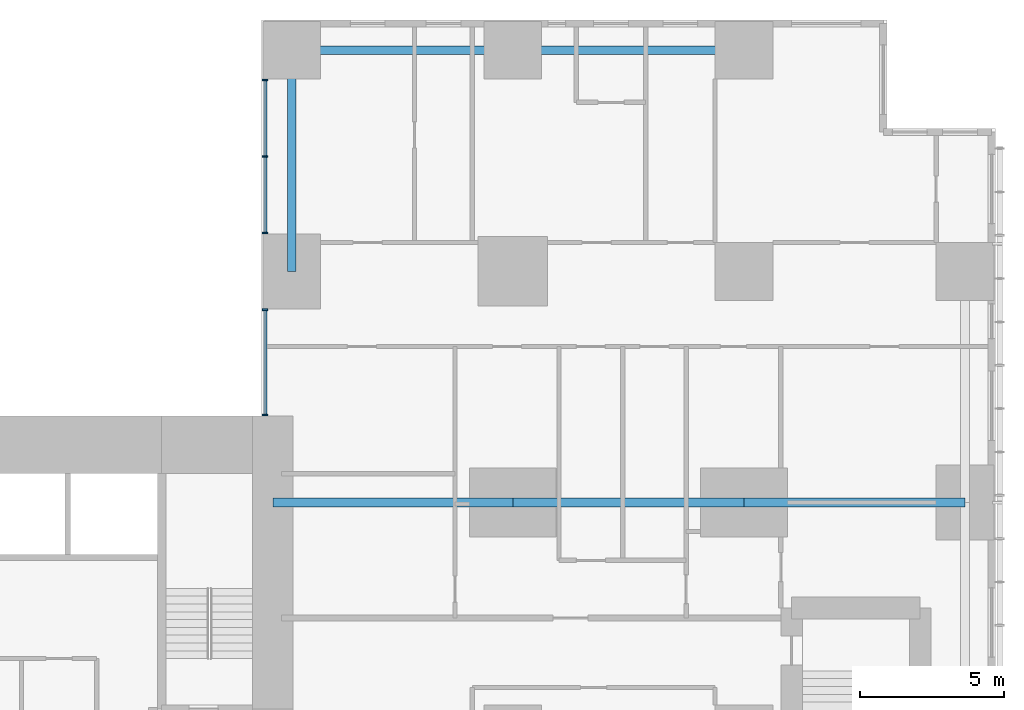
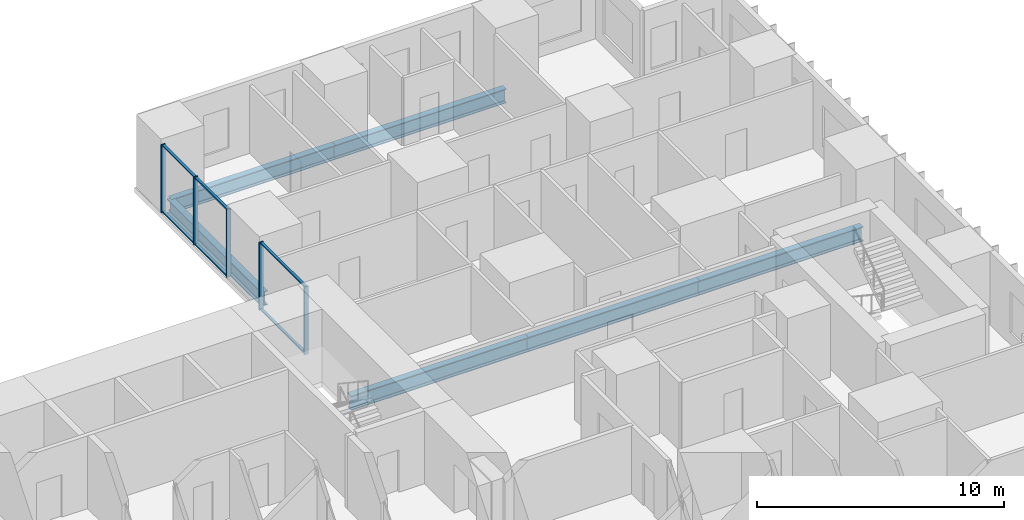
# One storey, part 5 of 20: 11 members, 6 beams, 2 elements without a shape of their own.
"""IFC4 building model written with IfcOpenShell, lengths in metres."""

import ifcopenshell
import ifcopenshell.guid

model = None  # the IFC model being written
_history = None  # IfcOwnerHistory: only IFC2X3 demands one
_inside = {}  # id of a spatial element -> (the spatial element, [elements in it])
_under = {}  # id of a project, library or spatial element -> (it, [spatial elements below it])
_declared = {}  # id of a project -> (the project, [libraries it declares])
_typed = {}  # id of a type object -> (the type object, [elements of that type])
_made_of = {}  # id of a material, layer set ... -> (it, [elements and type objects made of it])


def new_model(schema):
    """Start an empty IFC model of exactly this schema.

    Asked for "IFC4X3", IfcOpenShell would pick the latest addendum, in which some entities
    have other attributes; the version numbers below select the first issue.
    IFC2X3 requires an IfcOwnerHistory on every rooted entity: one is made here for all.
    """
    global model, _history
    if schema == "IFC4X3":
        model = ifcopenshell.file(schema_version=(4, 3, 0, 0))
    else:
        model = ifcopenshell.file(schema=schema)
    _inside.clear()
    _under.clear()
    _declared.clear()
    _typed.clear()
    _made_of.clear()
    _history = None
    if model.schema == "IFC2X3":
        org = make("IfcOrganization", Name="unknown")
        user = make(
            "IfcPersonAndOrganization",
            ThePerson=make("IfcPerson", FamilyName="unknown"),
            TheOrganization=org,
        )
        app = make(
            "IfcApplication",
            ApplicationDeveloper=org,
            Version="unknown",
            ApplicationFullName="unknown",
            ApplicationIdentifier="unknown",
        )
        _history = make(
            "IfcOwnerHistory",
            OwningUser=user,
            OwningApplication=app,
            ChangeAction="ADDED",
            CreationDate=0,
        )
    return model


def make(cls, **values):
    """One entity of the class cls with the attributes given. An attribute that is None is left unset."""
    return model.create_entity(
        cls, **{name: value for name, value in values.items() if value is not None}
    )


def rooted(cls, **values):
    """An entity with a GlobalId (a new one), such as an element, a storey or a relation."""
    return make(cls, GlobalId=ifcopenshell.guid.new(), OwnerHistory=_history, **values)


def si_unit(unit_type, name, prefix=None):
    """IfcSIUnit, for example si_unit("LENGTHUNIT", "METRE", prefix="MILLI")."""
    return make("IfcSIUnit", UnitType=unit_type, Prefix=prefix, Name=name)


def assignment(units):
    """IfcUnitAssignment: the units of a project."""
    return None if units is None else make("IfcUnitAssignment", Units=units)


def point(xyz):
    """IfcCartesianPoint."""
    return None if xyz is None else make("IfcCartesianPoint", Coordinates=xyz)


def direction(xyz):
    """IfcDirection."""
    return None if xyz is None else make("IfcDirection", DirectionRatios=xyz)


def frame(location, z_axis=None, x_axis=None):
    """IfcAxis2Placement3D, a coordinate frame: its origin and axes. An axis left out is left unset."""
    return make(
        "IfcAxis2Placement3D",
        Location=point(location),
        Axis=direction(z_axis),
        RefDirection=direction(x_axis),
    )


def frame_2d(location, x_axis=None):
    """IfcAxis2Placement2D, a coordinate frame in the plane: its origin and x axis."""
    return make(
        "IfcAxis2Placement2D", Location=point(location), RefDirection=direction(x_axis)
    )


def origin():
    """The frame at (0, 0, 0) with its axes left unset."""
    return frame((0.0, 0.0, 0.0))


def origin_2d():
    """The frame at (0, 0) in the plane with its x axis left unset."""
    return frame_2d((0.0, 0.0))


def place(relative_to, where):
    """IfcLocalPlacement: puts the frame where relative to a parent placement (None: the world)."""
    return make(
        "IfcLocalPlacement", PlacementRelTo=relative_to, RelativePlacement=where
    )


def context(
    kind, dimensions, precision=None, world=None, true_north=None, identifier=None
):
    """IfcGeometricRepresentationContext, for example the 3D "Model" context."""
    return make(
        "IfcGeometricRepresentationContext",
        ContextIdentifier=identifier,
        ContextType=kind,
        CoordinateSpaceDimension=dimensions,
        Precision=precision,
        WorldCoordinateSystem=world,
        TrueNorth=true_north,
    )


def subcontext(parent, identifier, kind, view, scale=None):
    """IfcGeometricRepresentationSubContext, for example "Body" below "Model"."""
    return make(
        "IfcGeometricRepresentationSubContext",
        ContextIdentifier=identifier,
        ContextType=kind,
        ParentContext=parent,
        TargetScale=scale,
        TargetView=view,
    )


def project(units=None, contexts=None):
    """IfcProject with its units and contexts."""
    return rooted(
        "IfcProject",
        Name="project",
        RepresentationContexts=contexts,
        UnitsInContext=assignment(units),
    )


def spatial(cls, under=None, at=None, **own):
    """A site, building, storey or space (cls), placed at a placement, below another one or the project."""
    s = rooted(cls, ObjectPlacement=at, **own)
    if under is not None:
        _under.setdefault(under.id(), (under, []))[1].append(s)
    return s


def profile(cls, at=None, kind="AREA", **sizes):
    """A parametric profile (cls). Its sizes go by their IFC names, for example OverallWidth=200.0."""
    return make(cls, ProfileType=kind, Position=at, **sizes)


def rectangle(**sizes):
    """IfcRectangleProfileDef."""
    return profile("IfcRectangleProfileDef", **sizes)


def i_section(**sizes):
    """IfcIShapeProfileDef."""
    return profile("IfcIShapeProfileDef", **sizes)


def extrude(swept, where, along, depth):
    """IfcExtrudedAreaSolid: the profile swept, set in the frame where, extruded along a direction by depth."""
    return make(
        "IfcExtrudedAreaSolid",
        SweptArea=swept,
        Position=where,
        ExtrudedDirection=direction(along),
        Depth=depth,
    )


def shape(context_of_items, identifier, shape_type, items):
    """IfcShapeRepresentation: the items that make up one representation, for example the "Body"."""
    return make(
        "IfcShapeRepresentation",
        ContextOfItems=context_of_items,
        RepresentationIdentifier=identifier,
        RepresentationType=shape_type,
        Items=items,
    )


def material(Name=None, Category=None):
    """IfcMaterial."""
    return make("IfcMaterial", Name=Name, Category=Category)


def layer(
    of_material, thickness, ventilated=None, Name=None, Category=None, Priority=None
):
    """IfcMaterialLayer: one layer of a wall or slab, of a material (None: an air gap)."""
    return make(
        "IfcMaterialLayer",
        Material=of_material,
        LayerThickness=thickness,
        IsVentilated=ventilated,
        Name=Name,
        Category=Category,
        Priority=Priority,
    )


def layer_set(layers, Name=None):
    """IfcMaterialLayerSet."""
    return make("IfcMaterialLayerSet", MaterialLayers=layers, LayerSetName=Name)


def material_profile(
    of_material, cross_section, Name=None, Category=None, Priority=None
):
    """IfcMaterialProfile: a cross section and its material."""
    return make(
        "IfcMaterialProfile",
        Name=Name,
        Material=of_material,
        Profile=cross_section,
        Priority=Priority,
        Category=Category,
    )


def profile_set(profiles, Name=None, composite=None):
    """IfcMaterialProfileSet."""
    return make(
        "IfcMaterialProfileSet",
        Name=Name,
        MaterialProfiles=profiles,
        CompositeProfile=composite,
    )


def made_of(thing, what):
    """Note that an element or type object is made of a material, layer set ...; save() writes the relation."""
    if what is not None:
        _made_of.setdefault(what.id(), (what, []))[1].append(thing)
    return thing


def type_object(cls, material=None, **own):
    """A type object (cls), such as IfcWallType, which elements share."""
    return made_of(rooted(cls, **own), material)


def element(
    cls,
    number,
    at=None,
    inside=None,
    cuts=None,
    type_object=None,
    material=None,
    context=None,
    identifier="Body",
    shape_type=None,
    held_by="IfcProductDefinitionShape",
    body=None,
    shapes=None,
    **own,
):
    """One element of the class cls, such as IfcWall. Its Tag is "e" and its number.

    at: its placement. inside: the storey or other place that contains it. cuts: it is an
    opening in that element (IfcRelVoidsElement). A single representation is given by context,
    identifier, shape_type and body (its items); several are given by shapes. held_by: the class
    of the entity that holds the representations. save() writes the other relations.
    """
    e = rooted(cls, Tag="e%d" % number, ObjectPlacement=at, **own)
    if body is not None:
        shapes = [shape(context, identifier, shape_type, body)]
    if shapes is not None:
        e.Representation = make(held_by, Representations=shapes)
    if inside is not None:
        _inside.setdefault(inside.id(), (inside, []))[1].append(e)
    if cuts is not None:
        rooted(
            "IfcRelVoidsElement", RelatingBuildingElement=cuts, RelatedOpeningElement=e
        )
    if type_object is not None:
        _typed.setdefault(type_object.id(), (type_object, []))[1].append(e)
    return made_of(e, material)


def aggregate(whole, parts):
    """IfcRelAggregates: a whole, such as a stair, and the parts it consists of."""
    return rooted("IfcRelAggregates", RelatingObject=whole, RelatedObjects=parts)


def save(model, path):
    """Write the relations noted so far, then the file.

    IfcRelAggregates (storeys below a building ...), IfcRelContainedInSpatialStructure (elements
    in a storey), IfcRelDefinesByType, IfcRelAssociatesMaterial and IfcRelDeclares: one each for
    every whole, place, type object, material and project.
    """
    for whole, parts in _under.values():
        aggregate(whole, parts)
    for where, things in _inside.values():
        rooted(
            "IfcRelContainedInSpatialStructure",
            RelatedElements=things,
            RelatingStructure=where,
        )
    for kind, things in _typed.values():
        rooted("IfcRelDefinesByType", RelatedObjects=things, RelatingType=kind)
    for what, things in _made_of.values():
        rooted("IfcRelAssociatesMaterial", RelatedObjects=things, RelatingMaterial=what)
    for by, libraries in _declared.values():
        rooted("IfcRelDeclares", RelatingContext=by, RelatedDefinitions=libraries)
    model.write(path)


model = new_model("IFC4")

# Units and contexts
model_context = context("Model", 3, precision=1e-05, world=origin(), true_north=direction((0.0, 1.0)))
body_context = subcontext(model_context, "Body", "Model", "MODEL_VIEW")
ifc_project = project(units=[si_unit("LENGTHUNIT", "METRE"), si_unit("AREAUNIT", "SQUARE_METRE"), si_unit("VOLUMEUNIT", "CUBIC_METRE"), si_unit("PLANEANGLEUNIT", "RADIAN"), si_unit("MASSUNIT", "GRAM", prefix="KILO")], contexts=[model_context])

# Site, building, storey
site_placement = place(None, origin())
site = spatial("IfcSite", under=ifc_project, at=site_placement, CompositionType="ELEMENT")
building_placement = place(site_placement, origin())
building = spatial("IfcBuilding", under=site, at=building_placement, Name="Cleftline Residences", CompositionType="ELEMENT")
storey_placement = place(building_placement, frame((0.0, 0.0, 80.0)))
storey = spatial("IfcBuildingStorey", under=building, at=storey_placement, Name="L20", CompositionType="ELEMENT", Elevation=80.0)

# Beams
ifc_material_1 = material(Name="Steel S355", Category="steel")
ifc_material_profile_1 = material_profile(ifc_material_1, i_section(OverallWidth=0.300048828125, OverallDepth=0.699951171875, WebThickness=0.01708984375, FlangeThickness=0.031982421875, FilletRadius=0.027099609375, at=origin_2d()))
ifc_profile_set_1 = profile_set([ifc_material_profile_1], Name="Steel S355")
beam_type_1 = type_object("IfcBeamType", Name="BEAM HEB 700", PredefinedType="BEAM", material=ifc_profile_set_1)
beam_1_placement = place(storey_placement, frame((58.0, 47.64990234375, -0.60009765625), z_axis=(-1.0, 0.0, 0.0), x_axis=(0.0, -1.0, 0.0)))
element("IfcBeam", 1, at=beam_1_placement, inside=storey, type_object=beam_type_1, Name="Edge beam", PredefinedType="BEAM", context=body_context, shape_type="SweptSolid", body=[
    extrude(i_section(OverallWidth=0.300048828125, OverallDepth=0.699951171875, WebThickness=0.01708984375, FlangeThickness=0.031982421875, FilletRadius=0.027099609375, at=origin_2d()), origin(), (0.0, 0.0, 1.0), 8.0),
])
for number, where, z_axis, x_axis, name in (
    (2, (50.0, 47.64990234375, -0.60009765625), (-1.0, 0.0, 0.0), (0.0, -1.0, 0.0), "Edge beam"),
    (3, (42.35009765625, 47.64990234375, -0.60009765625), (0.0, -1.0, 0.0), (1.0, 0.0, 0.0), "Edge beam"),
):
    element("IfcBeam", number, at=place(storey_placement, frame(where, z_axis=z_axis, x_axis=x_axis)), inside=storey, type_object=beam_type_1, Name=name, PredefinedType="BEAM", context=body_context, shape_type="SweptSolid", body=[
        extrude(i_section(OverallWidth=0.300048828125, OverallDepth=0.699951171875, WebThickness=0.01708984375, FlangeThickness=0.031982421875, FilletRadius=0.027099609375, at=origin_2d()), origin(), (0.0, 0.0, 1.0), 7.64990234375),
    ])
ifc_material_2 = material(Name="Steel S355", Category="steel")
ifc_material_profile_2 = material_profile(ifc_material_2, i_section(OverallWidth=0.303955078125, OverallDepth=0.716064453125, WebThickness=0.02099609375, FlangeThickness=0.0400390625, FilletRadius=0.027099609375, at=origin_2d()))
ifc_profile_set_2 = profile_set([ifc_material_profile_2], Name="Steel S355")
beam_type_2 = type_object("IfcBeamType", Name="BEAM HEM 700", PredefinedType="BEAM", material=ifc_profile_set_2)
beam_2_placement = place(storey_placement, frame((65.64990234375, 32.0, -0.60791015625), z_axis=(-1.0, 0.0, 0.0), x_axis=(0.0, -1.0, 0.0)))
element("IfcBeam", 4, at=beam_2_placement, inside=storey, type_object=beam_type_2, Name="Band beam", PredefinedType="BEAM", context=body_context, shape_type="SweptSolid", body=[
    extrude(i_section(OverallWidth=0.303955078125, OverallDepth=0.716064453125, WebThickness=0.02099609375, FlangeThickness=0.0400390625, FilletRadius=0.027099609375, at=origin_2d()), origin(), (0.0, 0.0, 1.0), 7.64990234375),
])
beam_3_placement = place(storey_placement, frame((58.0, 32.0, -0.60791015625), z_axis=(-1.0, 0.0, 0.0), x_axis=(0.0, -1.0, 0.0)))
element("IfcBeam", 5, at=beam_3_placement, inside=storey, type_object=beam_type_2, Name="Band beam", PredefinedType="BEAM", context=body_context, shape_type="SweptSolid", body=[
    extrude(i_section(OverallWidth=0.303955078125, OverallDepth=0.716064453125, WebThickness=0.02099609375, FlangeThickness=0.0400390625, FilletRadius=0.027099609375, at=origin_2d()), origin(), (0.0, 0.0, 1.0), 8.0),
])
beam_4_placement = place(storey_placement, frame((50.0, 32.0, -0.60791015625), z_axis=(-1.0, 0.0, 0.0), x_axis=(0.0, -1.0, 0.0)))
element("IfcBeam", 6, at=beam_4_placement, inside=storey, type_object=beam_type_2, Name="Band beam", PredefinedType="BEAM", context=body_context, shape_type="SweptSolid", body=[
    extrude(i_section(OverallWidth=0.303955078125, OverallDepth=0.716064453125, WebThickness=0.02099609375, FlangeThickness=0.0400390625, FilletRadius=0.027099609375, at=origin_2d()), origin(), (0.0, 0.0, 1.0), 8.300048828125),
])

# Curtain wall, members
ifc_material_3 = material(Name="Aluminium framed curtain wall", Category="aluminium")
ifc_layer = layer(ifc_material_3, 0.199951171875)
ifc_layer_set = layer_set([ifc_layer], Name="CW1 CLEFT GLAZING")
curtain_wall_type = type_object("IfcCurtainWallType", Name="CW1 CLEFT GLAZING", PredefinedType="NOTDEFINED", material=ifc_layer_set)
curtain_wall_1_placement = place(storey_placement, origin())
curtain_wall_1 = element("IfcCurtainWall", 7, at=curtain_wall_1_placement, inside=storey, type_object=curtain_wall_type, Name="Curtain wall CW1", PredefinedType="NOTDEFINED")
ifc_material_4 = material(Name="Aluminium mullion", Category="aluminium")
ifc_material_profile_3 = material_profile(ifc_material_4, rectangle(XDim=0.199951171875, YDim=0.06005859375, at=origin_2d()))
ifc_profile_set_3 = profile_set([ifc_material_profile_3], Name="Aluminium mullion")
member_type_1 = type_object("IfcMemberType", Name="CW1 MULLION", PredefinedType="MULLION", material=ifc_profile_set_3)
member_1_placement = place(storey_placement, frame((41.425048828125, 46.6201171875, 0.0), z_axis=(0.0, 0.0, 1.0), x_axis=(1.0, 0.0, 0.0)))
member_1 = element("IfcMember", 8, at=member_1_placement, type_object=member_type_1, Name="CW1 mullion 1", PredefinedType="MULLION", context=body_context, shape_type="SweptSolid", body=[
    extrude(rectangle(XDim=0.199951171875, YDim=0.06005859375, at=origin_2d()), origin(), (0.0, 0.0, 1.0), 3.35009765625),
])
member_2_placement = place(storey_placement, frame((41.425048828125, 43.97509765625, 0.0), z_axis=(0.0, 0.0, 1.0), x_axis=(1.0, 0.0, 0.0)))
member_2 = element("IfcMember", 9, at=member_2_placement, type_object=member_type_1, Name="CW1 mullion 2", PredefinedType="MULLION", context=body_context, shape_type="SweptSolid", body=[
    extrude(rectangle(XDim=0.199951171875, YDim=0.06005859375, at=origin_2d()), origin(), (0.0, 0.0, 1.0), 3.35009765625),
])
member_3_placement = place(storey_placement, frame((41.425048828125, 41.330078125, 0.0), z_axis=(0.0, 0.0, 1.0), x_axis=(1.0, 0.0, 0.0)))
member_3 = element("IfcMember", 10, at=member_3_placement, type_object=member_type_1, Name="CW1 mullion 3", PredefinedType="MULLION", context=body_context, shape_type="SweptSolid", body=[
    extrude(rectangle(XDim=0.199951171875, YDim=0.06005859375, at=origin_2d()), origin(), (0.0, 0.0, 1.0), 3.35009765625),
])

curtain_wall_2_placement = place(storey_placement, origin())
curtain_wall_2 = element("IfcCurtainWall", 11, at=curtain_wall_2_placement, inside=storey, type_object=curtain_wall_type, Name="Curtain wall CW1", PredefinedType="NOTDEFINED")
member_4_placement = place(storey_placement, frame((41.425048828125, 38.669921875, 0.0), z_axis=(0.0, 0.0, 1.0), x_axis=(1.0, 0.0, 0.0)))
member_4 = element("IfcMember", 12, at=member_4_placement, type_object=member_type_1, Name="CW1 mullion 1", PredefinedType="MULLION", context=body_context, shape_type="SweptSolid", body=[
    extrude(rectangle(XDim=0.199951171875, YDim=0.06005859375, at=origin_2d()), origin(), (0.0, 0.0, 1.0), 3.35009765625),
])
member_5_placement = place(storey_placement, frame((41.425048828125, 35.030029296875, 0.0), z_axis=(0.0, 0.0, 1.0), x_axis=(1.0, 0.0, 0.0)))
member_5 = element("IfcMember", 13, at=member_5_placement, type_object=member_type_1, Name="CW1 mullion 2", PredefinedType="MULLION", context=body_context, shape_type="SweptSolid", body=[
    extrude(rectangle(XDim=0.199951171875, YDim=0.06005859375, at=origin_2d()), origin(), (0.0, 0.0, 1.0), 3.35009765625),
])

# Member
ifc_material_5 = material(Name="Aluminium transom", Category="aluminium")
ifc_material_profile_4 = material_profile(ifc_material_5, rectangle(XDim=0.1201171875, YDim=0.06005859375, at=origin_2d()))
ifc_profile_set_4 = profile_set([ifc_material_profile_4], Name="Aluminium transom")
member_type_2 = type_object("IfcMemberType", Name="CW1 TRANSOM", PredefinedType="USERDEFINED", material=ifc_profile_set_4)
member_6_placement = place(storey_placement, frame((41.425048828125, 46.590087890625, 0.030029296875), z_axis=(0.0, -1.0, 0.0), x_axis=(1.0, 0.0, 0.0)))
member_6 = element("IfcMember", 14, at=member_6_placement, type_object=member_type_2, Name="CW1 transom 1.1", ObjectType="TRANSOM", PredefinedType="USERDEFINED", context=body_context, shape_type="SweptSolid", body=[
    extrude(rectangle(XDim=0.1201171875, YDim=0.06005859375, at=origin_2d()), origin(), (0.0, 0.0, 1.0), 2.585205078125),
])

member_7_placement = place(storey_placement, frame((41.425048828125, 46.590087890625, 3.320068359375), z_axis=(0.0, -1.0, 0.0), x_axis=(1.0, 0.0, 0.0)))
member_7 = element("IfcMember", 15, at=member_7_placement, type_object=member_type_2, Name="CW1 transom 1.2", ObjectType="TRANSOM", PredefinedType="USERDEFINED", context=body_context, shape_type="SweptSolid", body=[
    extrude(rectangle(XDim=0.1201171875, YDim=0.06005859375, at=origin_2d()), origin(), (0.0, 0.0, 1.0), 2.585205078125),
])

member_8_placement = place(storey_placement, frame((41.425048828125, 43.945068359375, 0.030029296875), z_axis=(0.0, -1.0, 0.0), x_axis=(1.0, 0.0, 0.0)))
member_8 = element("IfcMember", 16, at=member_8_placement, type_object=member_type_2, Name="CW1 transom 2.1", ObjectType="TRANSOM", PredefinedType="USERDEFINED", context=body_context, shape_type="SweptSolid", body=[
    extrude(rectangle(XDim=0.1201171875, YDim=0.06005859375, at=origin_2d()), origin(), (0.0, 0.0, 1.0), 2.5849609375),
])

member_9_placement = place(storey_placement, frame((41.425048828125, 43.945068359375, 3.320068359375), z_axis=(0.0, -1.0, 0.0), x_axis=(1.0, 0.0, 0.0)))
member_9 = element("IfcMember", 17, at=member_9_placement, type_object=member_type_2, Name="CW1 transom 2.2", ObjectType="TRANSOM", PredefinedType="USERDEFINED", context=body_context, shape_type="SweptSolid", body=[
    extrude(rectangle(XDim=0.1201171875, YDim=0.06005859375, at=origin_2d()), origin(), (0.0, 0.0, 1.0), 2.5849609375),
])

aggregate(curtain_wall_1, [member_1, member_2, member_3, member_6, member_7, member_8, member_9])

member_10_placement = place(storey_placement, frame((41.425048828125, 38.639892578125, 0.030029296875), z_axis=(0.0, -1.0, 0.0), x_axis=(1.0, 0.0, 0.0)))
member_10 = element("IfcMember", 18, at=member_10_placement, type_object=member_type_2, Name="CW1 transom 1.1", ObjectType="TRANSOM", PredefinedType="USERDEFINED", context=body_context, shape_type="SweptSolid", body=[
    extrude(rectangle(XDim=0.1201171875, YDim=0.06005859375, at=origin_2d()), origin(), (0.0, 0.0, 1.0), 3.579833984375),
])

member_11_placement = place(storey_placement, frame((41.425048828125, 38.639892578125, 3.320068359375), z_axis=(0.0, -1.0, 0.0), x_axis=(1.0, 0.0, 0.0)))
member_11 = element("IfcMember", 19, at=member_11_placement, type_object=member_type_2, Name="CW1 transom 1.2", ObjectType="TRANSOM", PredefinedType="USERDEFINED", context=body_context, shape_type="SweptSolid", body=[
    extrude(rectangle(XDim=0.1201171875, YDim=0.06005859375, at=origin_2d()), origin(), (0.0, 0.0, 1.0), 3.579833984375),
])

aggregate(curtain_wall_2, [member_4, member_5, member_10, member_11])

save(model, "model.ifc")
